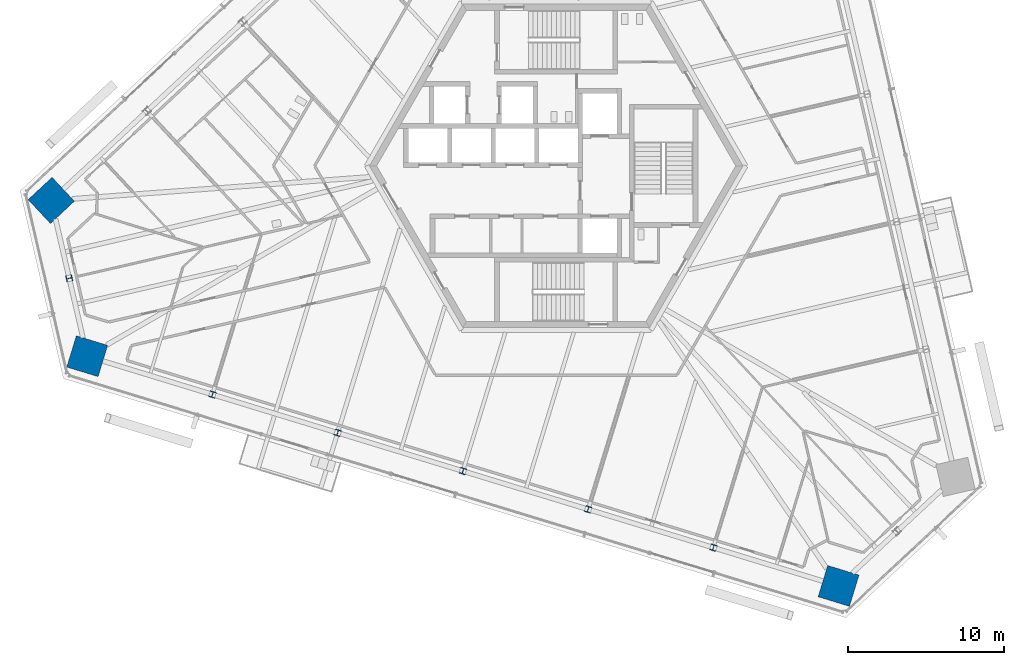
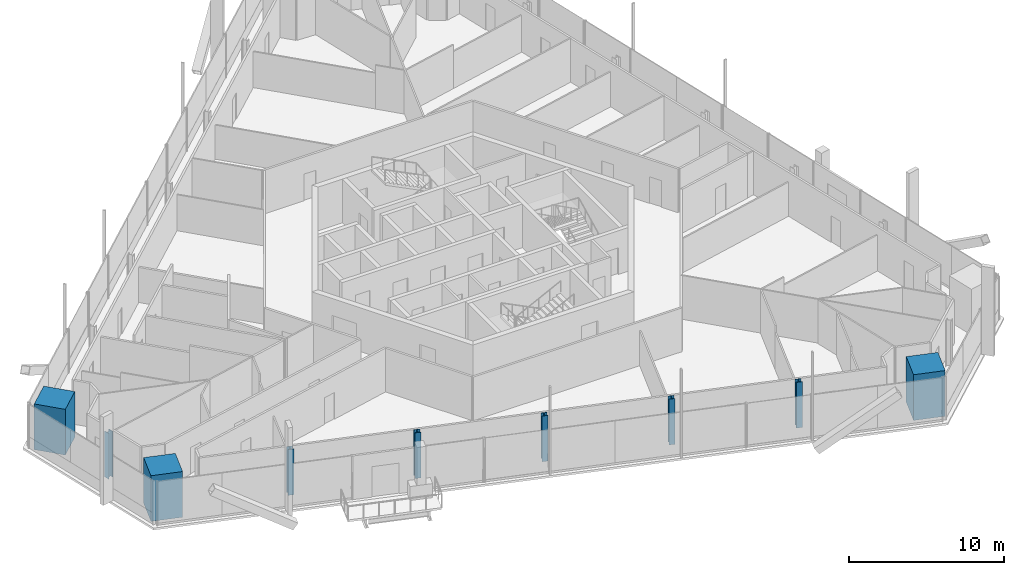
# One storey, part 1 of 24: 9 columns.
"""IFC4 building model written with IfcOpenShell, lengths in metres."""

from ifc_helpers import new_model, si_unit, direction, frame, origin, origin_2d, place, context, subcontext, project, spatial, rectangle, i_section, extrude, source, transform, mapped, material, material_profile, profile_set, type_object, element, save


model = new_model("IFC4")

# Units and contexts
model_context = context("Model", 3, precision=1e-05, world=origin(), true_north=direction((0.0, 1.0)))
body_context = subcontext(model_context, "Body", "Model", "MODEL_VIEW")
ifc_project = project(units=[si_unit("LENGTHUNIT", "METRE"), si_unit("AREAUNIT", "SQUARE_METRE"), si_unit("VOLUMEUNIT", "CUBIC_METRE"), si_unit("PLANEANGLEUNIT", "RADIAN"), si_unit("MASSUNIT", "GRAM", prefix="KILO")], contexts=[model_context])

# Site, building, storey
site_placement = place(None, origin())
site = spatial("IfcSite", under=ifc_project, at=site_placement, CompositionType="ELEMENT")
building_placement = place(site_placement, origin())
building = spatial("IfcBuilding", under=site, at=building_placement, Name="Triune Harvest Tower", CompositionType="ELEMENT")
storey_placement = place(building_placement, frame((0.0, 0.0, 127.10009765625)))
storey = spatial("IfcBuildingStorey", under=building, at=storey_placement, Name="L32", CompositionType="ELEMENT", Elevation=127.10009765625)

# Columns
ifc_material_1 = material(Name="Concrete 70 MPa", Category="concrete")
ifc_material_profile_1 = material_profile(ifc_material_1, rectangle(XDim=2.10009765625, YDim=2.10009765625, at=origin_2d()), Name="Composite 2100x2100")
ifc_profile_set_1 = profile_set([ifc_material_profile_1], Name="Concrete 70 MPa")
column_type_1 = type_object("IfcColumnType", Name="MC-3 Mega column Composite 2100x2100", PredefinedType="COLUMN", material=ifc_profile_set_1)
shared_shape_1 = source(origin(), body_context, "Body", "SweptSolid", [
    extrude(rectangle(XDim=2.10009765625, YDim=2.10009765625, at=origin_2d()), origin(), (0.0, 0.0, 1.0), 3.599853515625),
])
for number, where, z_axis, x_axis, name in (
    (1, (-32.446533203125, -2.218994140625, 0.0), (0.0, 0.0, 1.0), (-0.73135489193, -0.681997083608, 0.0), "col/L32/M14"),
    (2, (-30.135498046875, -12.22900390625, 0.0), (0.0, 0.0, 1.0), (0.956304755963, -0.292371704723, 0.0), "col/L32/M16"),
    (3, (18.14501953125, -26.989990234375, 0.0), (0.0, 0.0, 1.0), (0.956304755963, -0.292371704723, 0.0), "col/L32/M22"),
):
    element("IfcColumn", number, at=place(storey_placement, frame(where, z_axis=z_axis, x_axis=x_axis)), inside=storey, type_object=column_type_1, Name=name, PredefinedType="COLUMN", context=body_context, shape_type="MappedRepresentation", body=[
        mapped(shared_shape_1, transform((0.0, 0.0, 0.0), scale=1.0)),
    ])
ifc_material_2 = material(Name="Steel ASTM A992 Gr 50", Category="steel")
ifc_material_profile_2 = material_profile(ifc_material_2, i_section(OverallWidth=0.396240234375, OverallDepth=0.381103515625, WebThickness=0.01904296875, FlangeThickness=0.0302734375, at=origin_2d()), Name="W14x159")
ifc_profile_set_2 = profile_set([ifc_material_profile_2], Name="Steel ASTM A992 Gr 50")
column_type_2 = type_object("IfcColumnType", Name="PC-3 Perimeter column W14x159", PredefinedType="COLUMN", material=ifc_profile_set_2)
shared_shape_2 = source(origin(), body_context, "Body", "SweptSolid", [
    extrude(i_section(OverallWidth=0.396240234375, OverallDepth=0.381103515625, WebThickness=0.01904296875, FlangeThickness=0.0302734375, at=origin_2d()), origin(), (0.0, 0.0, 1.0), 3.599853515625),
])
for number, where, z_axis, x_axis, name in (
    (4, (-31.291015625, -7.22412109375, 0.0), (0.0, 0.0, 1.0), (0.224951054344, -0.974370064785, 0.0), "col/L32/P15"),
    (5, (-22.0888671875, -14.689208984375, 0.0), (0.0, 0.0, 1.0), (0.956304755963, -0.292371704723, 0.0), "col/L32/P17"),
    (6, (-14.0419921875, -17.1494140625, 0.0), (0.0, 0.0, 1.0), (0.956304755963, -0.292371704723, 0.0), "col/L32/P18"),
    (7, (-5.995361328125, -19.609619140625, 0.0), (0.0, 0.0, 1.0), (0.956304755963, -0.292371704723, 0.0), "col/L32/P19"),
    (8, (2.051513671875, -22.069580078125, 0.0), (0.0, 0.0, 1.0), (0.956304755963, -0.292371704723, 0.0), "col/L32/P20"),
    (9, (10.098388671875, -24.52978515625, 0.0), (0.0, 0.0, 1.0), (0.956304755963, -0.292371704723, 0.0), "col/L32/P21"),
):
    element("IfcColumn", number, at=place(storey_placement, frame(where, z_axis=z_axis, x_axis=x_axis)), inside=storey, type_object=column_type_2, Name=name, PredefinedType="COLUMN", context=body_context, shape_type="MappedRepresentation", body=[
        mapped(shared_shape_2, transform((0.0, 0.0, 0.0), scale=1.0)),
    ])

save(model, "model.ifc")
